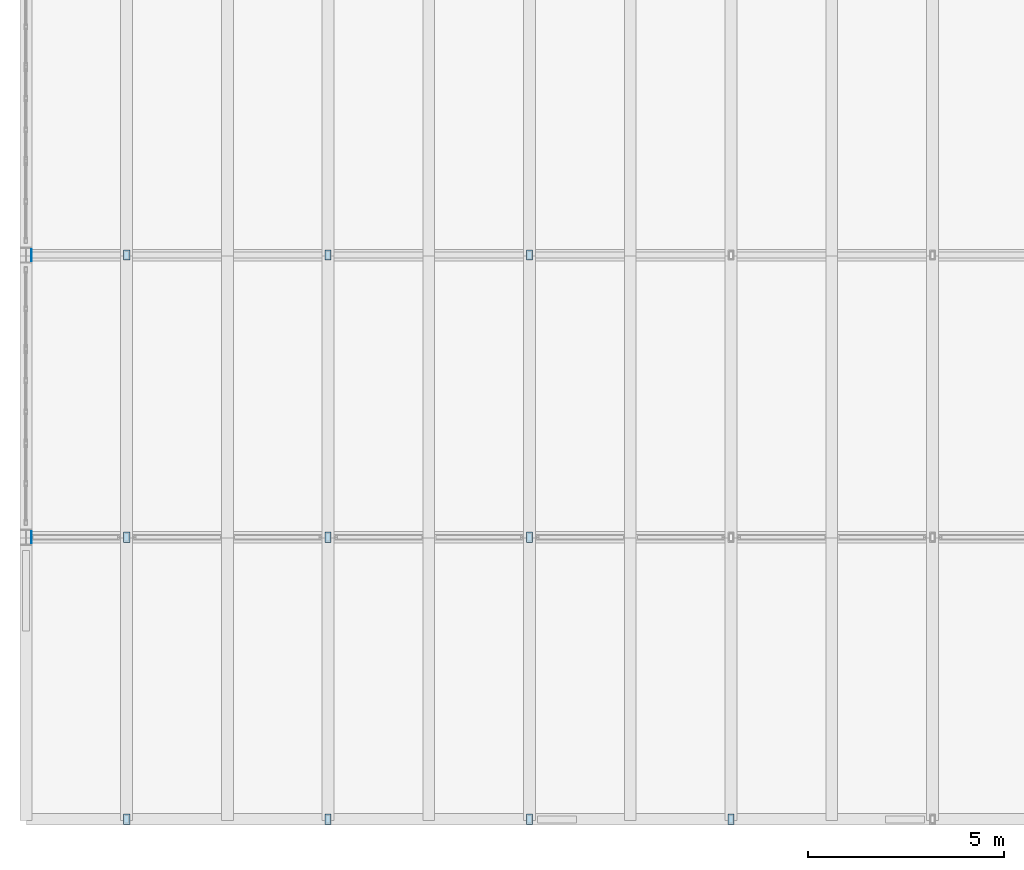
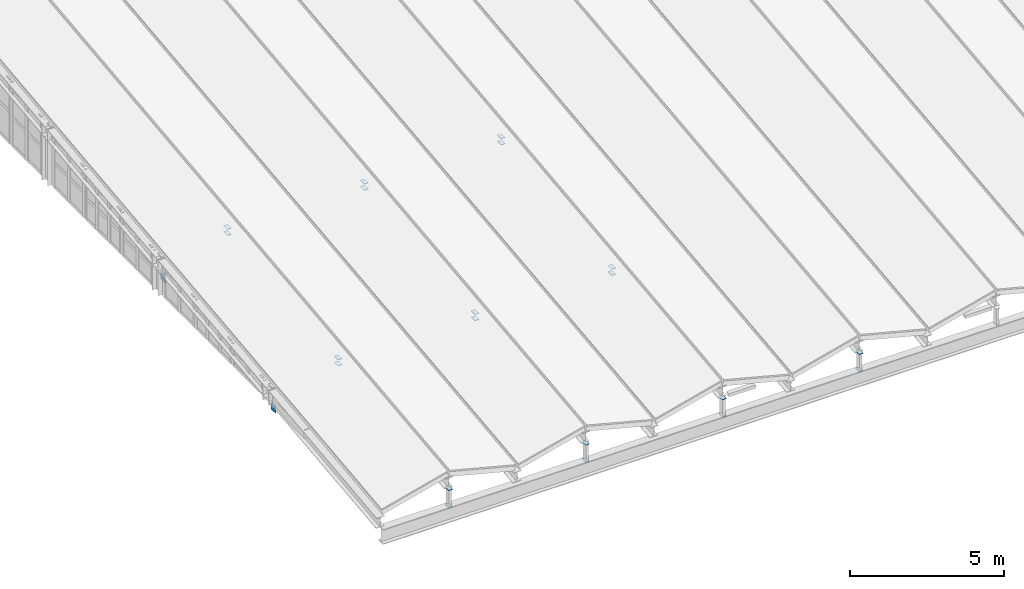
# One storey, part 32 of 39: 22 plates.
"""IFC4 building model written with IfcOpenShell, lengths in metres."""

import ifcopenshell
import ifcopenshell.guid

model = None  # the IFC model being written
_history = None  # IfcOwnerHistory: only IFC2X3 demands one
_inside = {}  # id of a spatial element -> (the spatial element, [elements in it])
_under = {}  # id of a project, library or spatial element -> (it, [spatial elements below it])
_declared = {}  # id of a project -> (the project, [libraries it declares])
_typed = {}  # id of a type object -> (the type object, [elements of that type])
_made_of = {}  # id of a material, layer set ... -> (it, [elements and type objects made of it])


def new_model(schema):
    """Start an empty IFC model of exactly this schema.

    Asked for "IFC4X3", IfcOpenShell would pick the latest addendum, in which some entities
    have other attributes; the version numbers below select the first issue.
    IFC2X3 requires an IfcOwnerHistory on every rooted entity: one is made here for all.
    """
    global model, _history
    if schema == "IFC4X3":
        model = ifcopenshell.file(schema_version=(4, 3, 0, 0))
    else:
        model = ifcopenshell.file(schema=schema)
    _inside.clear()
    _under.clear()
    _declared.clear()
    _typed.clear()
    _made_of.clear()
    _history = None
    if model.schema == "IFC2X3":
        org = make("IfcOrganization", Name="unknown")
        user = make(
            "IfcPersonAndOrganization",
            ThePerson=make("IfcPerson", FamilyName="unknown"),
            TheOrganization=org,
        )
        app = make(
            "IfcApplication",
            ApplicationDeveloper=org,
            Version="unknown",
            ApplicationFullName="unknown",
            ApplicationIdentifier="unknown",
        )
        _history = make(
            "IfcOwnerHistory",
            OwningUser=user,
            OwningApplication=app,
            ChangeAction="ADDED",
            CreationDate=0,
        )
    return model


def make(cls, **values):
    """One entity of the class cls with the attributes given. An attribute that is None is left unset."""
    return model.create_entity(
        cls, **{name: value for name, value in values.items() if value is not None}
    )


def rooted(cls, **values):
    """An entity with a GlobalId (a new one), such as an element, a storey or a relation."""
    return make(cls, GlobalId=ifcopenshell.guid.new(), OwnerHistory=_history, **values)


def si_unit(unit_type, name, prefix=None):
    """IfcSIUnit, for example si_unit("LENGTHUNIT", "METRE", prefix="MILLI")."""
    return make("IfcSIUnit", UnitType=unit_type, Prefix=prefix, Name=name)


def assignment(units):
    """IfcUnitAssignment: the units of a project."""
    return None if units is None else make("IfcUnitAssignment", Units=units)


def point(xyz):
    """IfcCartesianPoint."""
    return None if xyz is None else make("IfcCartesianPoint", Coordinates=xyz)


def direction(xyz):
    """IfcDirection."""
    return None if xyz is None else make("IfcDirection", DirectionRatios=xyz)


def frame(location, z_axis=None, x_axis=None):
    """IfcAxis2Placement3D, a coordinate frame: its origin and axes. An axis left out is left unset."""
    return make(
        "IfcAxis2Placement3D",
        Location=point(location),
        Axis=direction(z_axis),
        RefDirection=direction(x_axis),
    )


def frame_2d(location, x_axis=None):
    """IfcAxis2Placement2D, a coordinate frame in the plane: its origin and x axis."""
    return make(
        "IfcAxis2Placement2D", Location=point(location), RefDirection=direction(x_axis)
    )


def origin():
    """The frame at (0, 0, 0) with its axes left unset."""
    return frame((0.0, 0.0, 0.0))


def origin_2d():
    """The frame at (0, 0) in the plane with its x axis left unset."""
    return frame_2d((0.0, 0.0))


def place(relative_to, where):
    """IfcLocalPlacement: puts the frame where relative to a parent placement (None: the world)."""
    return make(
        "IfcLocalPlacement", PlacementRelTo=relative_to, RelativePlacement=where
    )


def context(
    kind, dimensions, precision=None, world=None, true_north=None, identifier=None
):
    """IfcGeometricRepresentationContext, for example the 3D "Model" context."""
    return make(
        "IfcGeometricRepresentationContext",
        ContextIdentifier=identifier,
        ContextType=kind,
        CoordinateSpaceDimension=dimensions,
        Precision=precision,
        WorldCoordinateSystem=world,
        TrueNorth=true_north,
    )


def subcontext(parent, identifier, kind, view, scale=None):
    """IfcGeometricRepresentationSubContext, for example "Body" below "Model"."""
    return make(
        "IfcGeometricRepresentationSubContext",
        ContextIdentifier=identifier,
        ContextType=kind,
        ParentContext=parent,
        TargetScale=scale,
        TargetView=view,
    )


def project(units=None, contexts=None):
    """IfcProject with its units and contexts."""
    return rooted(
        "IfcProject",
        Name="project",
        RepresentationContexts=contexts,
        UnitsInContext=assignment(units),
    )


def spatial(cls, under=None, at=None, **own):
    """A site, building, storey or space (cls), placed at a placement, below another one or the project."""
    s = rooted(cls, ObjectPlacement=at, **own)
    if under is not None:
        _under.setdefault(under.id(), (under, []))[1].append(s)
    return s


def profile(cls, at=None, kind="AREA", **sizes):
    """A parametric profile (cls). Its sizes go by their IFC names, for example OverallWidth=200.0."""
    return make(cls, ProfileType=kind, Position=at, **sizes)


def rectangle(**sizes):
    """IfcRectangleProfileDef."""
    return profile("IfcRectangleProfileDef", **sizes)


def extrude(swept, where, along, depth):
    """IfcExtrudedAreaSolid: the profile swept, set in the frame where, extruded along a direction by depth."""
    return make(
        "IfcExtrudedAreaSolid",
        SweptArea=swept,
        Position=where,
        ExtrudedDirection=direction(along),
        Depth=depth,
    )


def shape(context_of_items, identifier, shape_type, items):
    """IfcShapeRepresentation: the items that make up one representation, for example the "Body"."""
    return make(
        "IfcShapeRepresentation",
        ContextOfItems=context_of_items,
        RepresentationIdentifier=identifier,
        RepresentationType=shape_type,
        Items=items,
    )


def material(Name=None, Category=None):
    """IfcMaterial."""
    return make("IfcMaterial", Name=Name, Category=Category)


def layer(
    of_material, thickness, ventilated=None, Name=None, Category=None, Priority=None
):
    """IfcMaterialLayer: one layer of a wall or slab, of a material (None: an air gap)."""
    return make(
        "IfcMaterialLayer",
        Material=of_material,
        LayerThickness=thickness,
        IsVentilated=ventilated,
        Name=Name,
        Category=Category,
        Priority=Priority,
    )


def layer_set(layers, Name=None):
    """IfcMaterialLayerSet."""
    return make("IfcMaterialLayerSet", MaterialLayers=layers, LayerSetName=Name)


def made_of(thing, what):
    """Note that an element or type object is made of a material, layer set ...; save() writes the relation."""
    if what is not None:
        _made_of.setdefault(what.id(), (what, []))[1].append(thing)
    return thing


def type_object(cls, material=None, **own):
    """A type object (cls), such as IfcWallType, which elements share."""
    return made_of(rooted(cls, **own), material)


def element(
    cls,
    number,
    at=None,
    inside=None,
    cuts=None,
    type_object=None,
    material=None,
    context=None,
    identifier="Body",
    shape_type=None,
    held_by="IfcProductDefinitionShape",
    body=None,
    shapes=None,
    **own,
):
    """One element of the class cls, such as IfcWall. Its Tag is "e" and its number.

    at: its placement. inside: the storey or other place that contains it. cuts: it is an
    opening in that element (IfcRelVoidsElement). A single representation is given by context,
    identifier, shape_type and body (its items); several are given by shapes. held_by: the class
    of the entity that holds the representations. save() writes the other relations.
    """
    e = rooted(cls, Tag="e%d" % number, ObjectPlacement=at, **own)
    if body is not None:
        shapes = [shape(context, identifier, shape_type, body)]
    if shapes is not None:
        e.Representation = make(held_by, Representations=shapes)
    if inside is not None:
        _inside.setdefault(inside.id(), (inside, []))[1].append(e)
    if cuts is not None:
        rooted(
            "IfcRelVoidsElement", RelatingBuildingElement=cuts, RelatedOpeningElement=e
        )
    if type_object is not None:
        _typed.setdefault(type_object.id(), (type_object, []))[1].append(e)
    return made_of(e, material)


def aggregate(whole, parts):
    """IfcRelAggregates: a whole, such as a stair, and the parts it consists of."""
    return rooted("IfcRelAggregates", RelatingObject=whole, RelatedObjects=parts)


def save(model, path):
    """Write the relations noted so far, then the file.

    IfcRelAggregates (storeys below a building ...), IfcRelContainedInSpatialStructure (elements
    in a storey), IfcRelDefinesByType, IfcRelAssociatesMaterial and IfcRelDeclares: one each for
    every whole, place, type object, material and project.
    """
    for whole, parts in _under.values():
        aggregate(whole, parts)
    for where, things in _inside.values():
        rooted(
            "IfcRelContainedInSpatialStructure",
            RelatedElements=things,
            RelatingStructure=where,
        )
    for kind, things in _typed.values():
        rooted("IfcRelDefinesByType", RelatedObjects=things, RelatingType=kind)
    for what, things in _made_of.values():
        rooted("IfcRelAssociatesMaterial", RelatedObjects=things, RelatingMaterial=what)
    for by, libraries in _declared.values():
        rooted("IfcRelDeclares", RelatingContext=by, RelatedDefinitions=libraries)
    model.write(path)


model = new_model("IFC4")

# Units and contexts
model_context = context("Model", 3, precision=1e-05, world=origin(), true_north=direction((0.0, 1.0)))
body_context = subcontext(model_context, "Body", "Model", "MODEL_VIEW")
ifc_project = project(units=[si_unit("LENGTHUNIT", "METRE"), si_unit("AREAUNIT", "SQUARE_METRE"), si_unit("VOLUMEUNIT", "CUBIC_METRE"), si_unit("PLANEANGLEUNIT", "RADIAN"), si_unit("MASSUNIT", "GRAM", prefix="KILO"), si_unit("THERMODYNAMICTEMPERATUREUNIT", "KELVIN"), si_unit("POWERUNIT", "WATT")], contexts=[model_context])

# Site, building, storey
site_placement = place(None, origin())
site = spatial("IfcSite", under=ifc_project, at=site_placement, CompositionType="ELEMENT")
building_placement = place(site_placement, origin())
building = spatial("IfcBuilding", under=site, at=building_placement, Name="Kaldorven Railside Theatre", CompositionType="ELEMENT")
storey_placement = place(building_placement, frame((0.0, 0.0, 27.300048828125)))
storey = spatial("IfcBuildingStorey", under=building, at=storey_placement, Name="ROOF", CompositionType="ELEMENT", Elevation=27.300048828125)

# Plates
ifc_material = material(Name="Steel S355", Category="steel")
ifc_layer = layer(ifc_material, 0.011962890625, Name="Steel S355")
ifc_layer_set = layer_set([ifc_layer], Name="Steel S355")
plate_type = type_object("IfcPlateType", Name="PLT-CAP-12", PredefinedType="USERDEFINED", material=ifc_layer_set)
for number, where, z_axis, x_axis, name in (
    (1, (89.771484375, 84.0, -0.67529296875), (0.0, 0.0, 1.0), (1.0, 0.0, 0.0), "End cap gusset plate PL-0241"),
    (2, (89.771484375, 84.0, 0.02001953125), (0.0, 0.0, 1.0), (1.0, 0.0, 0.0), "End cap gusset plate PL-0242"),
    (3, (94.914306640625, 84.0, -0.67529296875), (0.0, 0.0, 1.0), (1.0, 0.0, 0.0), "End cap gusset plate PL-0243"),
    (4, (94.914306640625, 84.0, 0.02001953125), (0.0, 0.0, 1.0), (1.0, 0.0, 0.0), "End cap gusset plate PL-0244"),
    (5, (100.05712890625, 84.0, -0.67529296875), (0.0, 0.0, 1.0), (1.0, 0.0, 0.0), "End cap gusset plate PL-0245"),
    (6, (100.05712890625, 84.0, 0.02001953125), (0.0, 0.0, 1.0), (1.0, 0.0, 0.0), "End cap gusset plate PL-0246"),
    (7, (105.199951171875, 84.0, -0.67529296875), (0.0, 0.0, 1.0), (1.0, 0.0, 0.0), "End cap gusset plate PL-0247"),
    (8, (105.199951171875, 84.0, 0.02001953125), (0.0, 0.0, 1.0), (1.0, 0.0, 0.0), "End cap gusset plate PL-0248"),
):
    element("IfcPlate", number, at=place(storey_placement, frame(where, z_axis=z_axis, x_axis=x_axis)), inside=storey, type_object=plate_type, Name=name, ObjectType="CAP PLATE", PredefinedType="USERDEFINED", context=body_context, shape_type="SweptSolid", body=[
        extrude(rectangle(XDim=0.159912109375, YDim=0.260009765625, at=origin_2d()), origin(), (0.0, 0.0, 1.0), 0.011962890625),
    ])
for number, where, z_axis, x_axis, name in (
    (9, (87.33984375, 91.199951171875, -0.300537109375), (1.0, 0.0, 0.0), (0.0, 1.0, 0.0), "End cap gusset plate PL-0269"),
    (10, (87.33984375, 98.39990234375, 0.51953125), (1.0, 0.0, 0.0), (0.0, 1.0, 0.0), "End cap gusset plate PL-0271"),
):
    element("IfcPlate", number, at=place(storey_placement, frame(where, z_axis=z_axis, x_axis=x_axis)), inside=storey, type_object=plate_type, Name=name, ObjectType="CAP PLATE", PredefinedType="USERDEFINED", context=body_context, shape_type="SweptSolid", body=[
        extrude(rectangle(XDim=0.300048828125, YDim=0.300048828125, at=origin_2d()), origin(), (0.0, 0.0, 1.0), 0.011962890625),
    ])
for number, where, z_axis, x_axis, name in (
    (11, (89.771484375, 91.199951171875, 0.59423828125), (0.0, 0.0, 1.0), (1.0, 0.0, 0.0), "End cap gusset plate PL-0275"),
    (12, (89.771484375, 91.199951171875, 0.837890625), (0.0, 0.0, 1.0), (1.0, 0.0, 0.0), "End cap gusset plate PL-0276"),
    (13, (89.771484375, 98.39990234375, 1.41455078125), (0.0, 0.0, 1.0), (1.0, 0.0, 0.0), "End cap gusset plate PL-0277"),
    (14, (89.771484375, 98.39990234375, 1.658203125), (0.0, 0.0, 1.0), (1.0, 0.0, 0.0), "End cap gusset plate PL-0278"),
    (15, (94.914306640625, 91.199951171875, 0.59423828125), (0.0, 0.0, 1.0), (1.0, 0.0, 0.0), "End cap gusset plate PL-0281"),
    (16, (94.914306640625, 91.199951171875, 0.837890625), (0.0, 0.0, 1.0), (1.0, 0.0, 0.0), "End cap gusset plate PL-0282"),
    (17, (94.914306640625, 98.39990234375, 1.41455078125), (0.0, 0.0, 1.0), (1.0, 0.0, 0.0), "End cap gusset plate PL-0283"),
    (18, (94.914306640625, 98.39990234375, 1.658203125), (0.0, 0.0, 1.0), (1.0, 0.0, 0.0), "End cap gusset plate PL-0284"),
    (19, (100.05712890625, 91.199951171875, 0.59423828125), (0.0, 0.0, 1.0), (1.0, 0.0, 0.0), "End cap gusset plate PL-0287"),
    (20, (100.05712890625, 91.199951171875, 0.837890625), (0.0, 0.0, 1.0), (1.0, 0.0, 0.0), "End cap gusset plate PL-0288"),
    (21, (100.05712890625, 98.39990234375, 1.41455078125), (0.0, 0.0, 1.0), (1.0, 0.0, 0.0), "End cap gusset plate PL-0289"),
    (22, (100.05712890625, 98.39990234375, 1.658203125), (0.0, 0.0, 1.0), (1.0, 0.0, 0.0), "End cap gusset plate PL-0290"),
):
    element("IfcPlate", number, at=place(storey_placement, frame(where, z_axis=z_axis, x_axis=x_axis)), inside=storey, type_object=plate_type, Name=name, ObjectType="CAP PLATE", PredefinedType="USERDEFINED", context=body_context, shape_type="SweptSolid", body=[
        extrude(rectangle(XDim=0.159912109375, YDim=0.260009765625, at=origin_2d()), origin(), (0.0, 0.0, 1.0), 0.011962890625),
    ])

save(model, "model.ifc")
